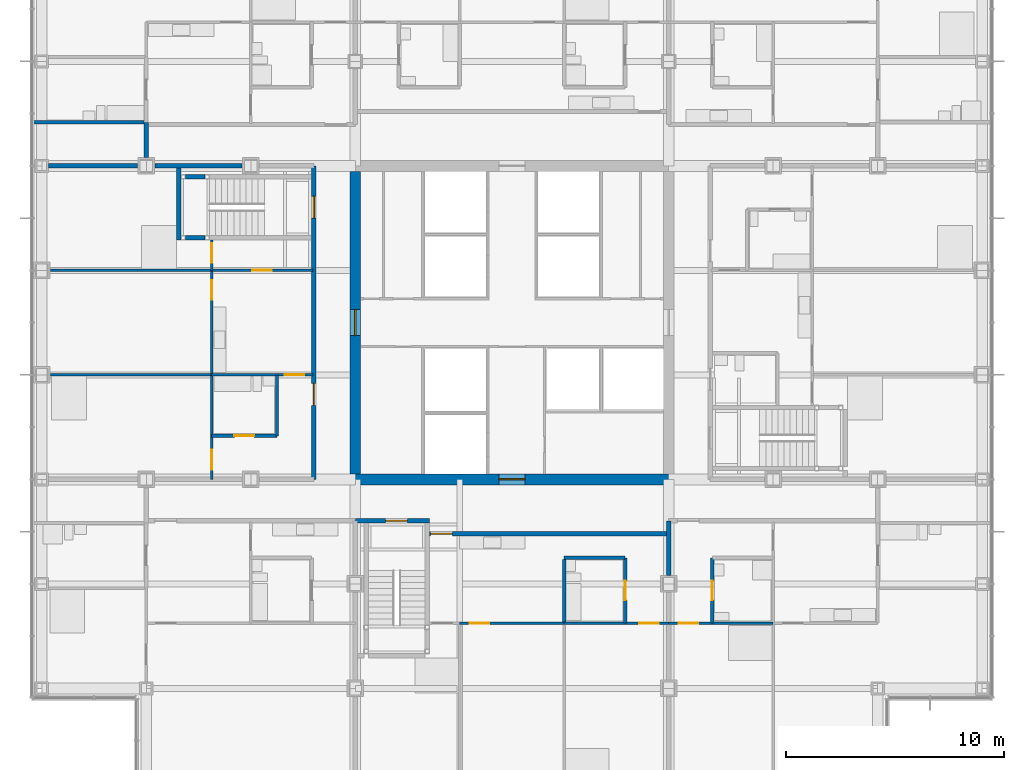
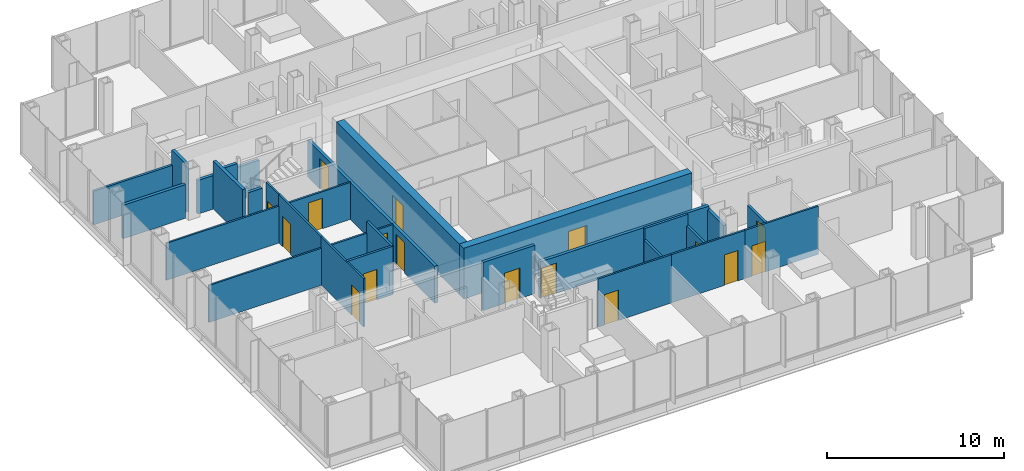
# One storey, part 14 of 21: 29 walls, 17 doors, 17 openings.
"""IFC4 building model written with IfcOpenShell, lengths in metres."""

from ifc_helpers import new_model, si_unit, direction, frame, frame_2d, origin, place, context, subcontext, project, spatial, rectangle, extrude, material, layer, layer_set, type_object, element, fill, save


model = new_model("IFC4")

# Units and contexts
model_context = context("Model", 3, precision=1e-05, world=origin(), true_north=direction((0.0, 1.0)))
body_context = subcontext(model_context, "Body", "Model", "MODEL_VIEW")
ifc_project = project(units=[si_unit("LENGTHUNIT", "METRE"), si_unit("AREAUNIT", "SQUARE_METRE"), si_unit("VOLUMEUNIT", "CUBIC_METRE"), si_unit("PLANEANGLEUNIT", "RADIAN"), si_unit("MASSUNIT", "GRAM", prefix="KILO")], contexts=[model_context])

# Site, building, storey
site_placement = place(None, origin())
site = spatial("IfcSite", under=ifc_project, at=site_placement, CompositionType="ELEMENT")
building_placement = place(site_placement, origin())
building = spatial("IfcBuilding", under=site, at=building_placement, Name="Kvirike Care Tower", CompositionType="ELEMENT")
storey_placement = place(building_placement, frame((0.0, 0.0, 62.0)))
storey = spatial("IfcBuildingStorey", under=building, at=storey_placement, Name="L16", CompositionType="ELEMENT", Elevation=62.0)

# Wall, opening, door
ifc_material_1 = material(Name="Moisture-resistant board partition", Category="gypsum")
ifc_layer_1 = layer(ifc_material_1, 0.14990234375)
ifc_layer_set_1 = layer_set([ifc_layer_1], Name="BATHROOM WALL 150")
wall_type_1 = type_object("IfcWallType", Name="BATHROOM WALL 150", PredefinedType="PARTITIONING", material=ifc_layer_set_1)
wall_1_placement = place(storey_placement, frame((7.800048828125, 30.800048828125, 0.0), z_axis=(0.0, 0.0, 1.0), x_axis=(1.0, 0.0, 0.0)))
wall_1 = element("IfcWall", 1, at=wall_1_placement, inside=storey, type_object=wall_type_1, Name="Bathroom Wall 150 L16", PredefinedType="PARTITIONING", context=body_context, shape_type="SweptSolid", body=[
    extrude(rectangle(XDim=3.0, YDim=0.14990234375, at=frame_2d((1.5, 0.0))), origin(), (0.0, 0.0, 1.0), 3.330078125),
])
opening_1_placement = place(wall_1_placement, frame((1.050048828125, 0.0, 0.0)))
opening_1 = element("IfcOpeningElement", 2, at=opening_1_placement, cuts=wall_1, Name="Opening 16-007", PredefinedType="OPENING", context=body_context, shape_type="SweptSolid", body=[
    extrude(rectangle(XDim=0.89990234375, YDim=2.10009765625, at=frame_2d((0.449951171875, 1.050048828125))), frame((0.0, 0.08544921875, 0.0), z_axis=(0.0, -1.0, 0.0), x_axis=(1.0, 0.0, 0.0)), (0.0, 0.0, 1.0), 0.1708984375),
])
ifc_material_2 = material(Name="Timber door set", Category="wood")
door_type_1 = type_object("IfcDoorType", Name="BATHROOM DOOR 900", OperationType="SINGLE_SWING_RIGHT", PredefinedType="DOOR", material=ifc_material_2)
door_1_placement = place(opening_1_placement, origin())
door_1 = element("IfcDoor", 3, at=door_1_placement, inside=storey, type_object=door_type_1, Name="Bathroom door", OperationType="SINGLE_SWING_RIGHT", OverallHeight=2.10009765625, OverallWidth=0.89990234375, PredefinedType="DOOR", context=body_context, shape_type="SweptSolid", body=[
    extrude(rectangle(XDim=0.89990234375, YDim=2.10009765625, at=frame_2d((0.449951171875, 1.050048828125))), frame((0.0, 0.02197265625, 0.0), z_axis=(0.0, -1.0, 0.0), x_axis=(1.0, 0.0, 0.0)), (0.0, 0.0, 1.0), 0.0439453125),
])
fill(opening_1, door_1)

# Wall
wall_2_placement = place(storey_placement, frame((10.800048828125, 33.60009765625, 0.0), z_axis=(0.0, 0.0, 1.0), x_axis=(0.0, -1.0, 0.0)))
element("IfcWall", 4, at=wall_2_placement, inside=storey, type_object=wall_type_1, Name="Bathroom Wall 150 L16", PredefinedType="PARTITIONING", context=body_context, shape_type="SweptSolid", body=[
    extrude(rectangle(XDim=2.800048828125, YDim=0.14990234375, at=frame_2d((1.39990234375, 0.0))), origin(), (0.0, 0.0, 1.0), 3.330078125),
])

# Wall, opening, door
wall_3_placement = place(storey_placement, frame((26.800048828125, 22.199951171875, 0.0), z_axis=(0.0, 0.0, 1.0), x_axis=(0.0, 1.0, 0.0)))
wall_3 = element("IfcWall", 5, at=wall_3_placement, inside=storey, type_object=wall_type_1, Name="Bathroom Wall 150 L16", PredefinedType="PARTITIONING", context=body_context, shape_type="SweptSolid", body=[
    extrude(rectangle(XDim=3.0, YDim=0.14990234375, at=frame_2d((1.5, 0.0))), origin(), (0.0, 0.0, 1.0), 2.550048828125),
])
opening_2_placement = place(wall_3_placement, frame((1.050048828125, 0.0, 0.0)))
opening_2 = element("IfcOpeningElement", 6, at=opening_2_placement, cuts=wall_3, Name="Opening 16-022", PredefinedType="OPENING", context=body_context, shape_type="SweptSolid", body=[
    extrude(rectangle(XDim=0.89990234375, YDim=2.10009765625, at=frame_2d((0.449951171875, 1.050048828125))), frame((0.0, 0.08544921875, 0.0), z_axis=(0.0, -1.0, 0.0), x_axis=(1.0, 0.0, 0.0)), (0.0, 0.0, 1.0), 0.1708984375),
])
door_2_placement = place(opening_2_placement, origin())
door_2 = element("IfcDoor", 7, at=door_2_placement, inside=storey, type_object=door_type_1, Name="Bathroom door", OperationType="SINGLE_SWING_LEFT", OverallHeight=2.10009765625, OverallWidth=0.89990234375, PredefinedType="DOOR", context=body_context, shape_type="SweptSolid", body=[
    extrude(rectangle(XDim=0.89990234375, YDim=2.10009765625, at=frame_2d((0.449951171875, 1.050048828125))), frame((0.0, 0.02197265625, 0.0), z_axis=(0.0, -1.0, 0.0), x_axis=(1.0, 0.0, 0.0)), (0.0, 0.0, 1.0), 0.0439453125),
])
fill(opening_2, door_2)

# Wall
wall_4_placement = place(storey_placement, frame((24.0, 25.199951171875, 0.0), z_axis=(0.0, 0.0, 1.0), x_axis=(1.0, 0.0, 0.0)))
element("IfcWall", 8, at=wall_4_placement, inside=storey, type_object=wall_type_1, Name="Bathroom Wall 150 L16", PredefinedType="PARTITIONING", context=body_context, shape_type="SweptSolid", body=[
    extrude(rectangle(XDim=2.800048828125, YDim=0.14990234375, at=frame_2d((1.39990234375, 0.0))), origin(), (0.0, 0.0, 1.0), 3.330078125),
])

# Wall, opening, door
wall_5_placement = place(storey_placement, frame((30.800048828125, 22.199951171875, 0.0), z_axis=(0.0, 0.0, 1.0), x_axis=(0.0, 1.0, 0.0)))
wall_5 = element("IfcWall", 9, at=wall_5_placement, inside=storey, type_object=wall_type_1, Name="Bathroom Wall 150 L16", PredefinedType="PARTITIONING", context=body_context, shape_type="SweptSolid", body=[
    extrude(rectangle(XDim=3.0, YDim=0.14990234375, at=frame_2d((1.5, 0.0))), origin(), (0.0, 0.0, 1.0), 2.550048828125),
])
opening_3_placement = place(wall_5_placement, frame((1.050048828125, 0.0, 0.0)))
opening_3 = element("IfcOpeningElement", 10, at=opening_3_placement, cuts=wall_5, Name="Opening 16-033", PredefinedType="OPENING", context=body_context, shape_type="SweptSolid", body=[
    extrude(rectangle(XDim=0.89990234375, YDim=2.10009765625, at=frame_2d((0.449951171875, 1.050048828125))), frame((0.0, 0.08544921875, 0.0), z_axis=(0.0, -1.0, 0.0), x_axis=(1.0, 0.0, 0.0)), (0.0, 0.0, 1.0), 0.1708984375),
])
door_3_placement = place(opening_3_placement, frame((0.89990234375, 0.0, 0.0), z_axis=(0.0, 0.0, 1.0), x_axis=(-1.0, 0.0, 0.0)))
door_3 = element("IfcDoor", 11, at=door_3_placement, inside=storey, type_object=door_type_1, Name="Shower room door", OperationType="SINGLE_SWING_LEFT", OverallHeight=2.10009765625, OverallWidth=0.89990234375, PredefinedType="DOOR", context=body_context, shape_type="SweptSolid", body=[
    extrude(rectangle(XDim=0.89990234375, YDim=2.10009765625, at=frame_2d((0.449951171875, 1.050048828125))), frame((0.0, 0.02197265625, 0.0), z_axis=(0.0, -1.0, 0.0), x_axis=(1.0, 0.0, 0.0)), (0.0, 0.0, 1.0), 0.0439453125),
])
fill(opening_3, door_3)

# Walls
wall_6_placement = place(storey_placement, frame((4.699951171875, 45.199951171875, 0.0), z_axis=(0.0, 0.0, 1.0), x_axis=(-1.0, 0.0, 0.0)))
element("IfcWall", 12, at=wall_6_placement, inside=storey, type_object=wall_type_1, Name="Bathroom Wall 150 L16", PredefinedType="PARTITIONING", context=body_context, shape_type="SweptSolid", body=[
    extrude(rectangle(XDim=5.135009765625, YDim=0.14990234375, at=frame_2d((2.5673828125, 0.0))), origin(), (0.0, 0.0, 1.0), 2.320068359375),
])
wall_7_placement = place(storey_placement, frame((24.0, 22.260009765625, 0.0), z_axis=(0.0, 0.0, 1.0), x_axis=(0.0, 1.0, 0.0)))
element("IfcWall", 13, at=wall_7_placement, inside=storey, type_object=wall_type_1, Name="Bathroom Wall 150 L16", PredefinedType="PARTITIONING", context=body_context, shape_type="SweptSolid", body=[
    extrude(rectangle(XDim=2.864990234375, YDim=0.14990234375, at=frame_2d((1.4326171875, 0.0))), origin(), (0.0, 0.0, 1.0), 2.550048828125),
])

# Wall, opening, door
ifc_material_3 = material(Name="Concrete C60/75", Category="concrete")
ifc_layer_2 = layer(ifc_material_3, 0.5)
ifc_layer_set_2 = layer_set([ifc_layer_2], Name="CORE WALL 500 C60-75")
wall_type_2 = type_object("IfcWallType", Name="CORE WALL 500 C60-75", PredefinedType="SHEAR", material=ifc_layer_set_2)
wall_8_placement = place(storey_placement, frame((14.14990234375, 28.800048828125, -0.169921875), z_axis=(0.0, 0.0, 1.0), x_axis=(1.0, 0.0, 0.0)))
wall_8 = element("IfcWall", 14, at=wall_8_placement, inside=storey, type_object=wall_type_2, Name="Core wall S L16", PredefinedType="SHEAR", context=body_context, shape_type="SweptSolid", body=[
    extrude(rectangle(XDim=14.900146484375, YDim=0.5, at=frame_2d((7.4501953125, 0.0))), origin(), (0.0, 0.0, 1.0), 3.5),
])
opening_4_placement = place(wall_8_placement, frame((6.85009765625, 0.0, 0.169921875)))
opening_4 = element("IfcOpeningElement", 15, at=opening_4_placement, cuts=wall_8, Name="Opening 16-064", PredefinedType="OPENING", context=body_context, shape_type="SweptSolid", body=[
    extrude(rectangle(XDim=1.199951171875, YDim=2.10009765625, at=frame_2d((0.60009765625, 1.050048828125))), frame((0.0, 0.260498046875, 0.0), z_axis=(0.0, -1.0, 0.0), x_axis=(1.0, 0.0, 0.0)), (0.0, 0.0, 1.0), 0.52099609375),
])
ifc_material_4 = material(Name="Timber door set", Category="wood")
door_type_2 = type_object("IfcDoorType", Name="CORE DOOR 1200", OperationType="SINGLE_SWING_LEFT", PredefinedType="DOOR", material=ifc_material_4)
door_4_placement = place(opening_4_placement, origin())
door_4 = element("IfcDoor", 16, at=door_4_placement, inside=storey, type_object=door_type_2, Name="Core door S L16", OperationType="SINGLE_SWING_LEFT", OverallHeight=2.10009765625, OverallWidth=1.199951171875, PredefinedType="DOOR", context=body_context, shape_type="SweptSolid", body=[
    extrude(rectangle(XDim=1.199951171875, YDim=2.10009765625, at=frame_2d((0.60009765625, 1.050048828125))), frame((0.0, 0.02685546875, 0.0), z_axis=(0.0, -1.0, 0.0), x_axis=(1.0, 0.0, 0.0)), (0.0, 0.0, 1.0), 0.053955078125),
])
fill(opening_4, door_4)

wall_9_placement = place(storey_placement, frame((14.39990234375, 42.949951171875, -0.169921875), z_axis=(0.0, 0.0, 1.0), x_axis=(0.0, -1.0, 0.0)))
wall_9 = element("IfcWall", 17, at=wall_9_placement, inside=storey, type_object=wall_type_2, Name="Core wall W L16", PredefinedType="SHEAR", context=body_context, shape_type="SweptSolid", body=[
    extrude(rectangle(XDim=13.89990234375, YDim=0.5, at=frame_2d((6.949951171875, 0.0))), origin(), (0.0, 0.0, 1.0), 3.5),
])
opening_5_placement = place(wall_9_placement, frame((6.35009765625, 0.0, 0.169921875)))
opening_5 = element("IfcOpeningElement", 18, at=opening_5_placement, cuts=wall_9, Name="Opening 16-065", PredefinedType="OPENING", context=body_context, shape_type="SweptSolid", body=[
    extrude(rectangle(XDim=1.199951171875, YDim=2.10009765625, at=frame_2d((0.60009765625, 1.050048828125))), frame((0.0, 0.260498046875, 0.0), z_axis=(0.0, -1.0, 0.0), x_axis=(1.0, 0.0, 0.0)), (0.0, 0.0, 1.0), 0.52099609375),
])
door_5_placement = place(opening_5_placement, origin())
door_5 = element("IfcDoor", 19, at=door_5_placement, inside=storey, type_object=door_type_2, Name="Core door W L16", OperationType="SINGLE_SWING_LEFT", OverallHeight=2.10009765625, OverallWidth=1.199951171875, PredefinedType="DOOR", context=body_context, shape_type="SweptSolid", body=[
    extrude(rectangle(XDim=1.199951171875, YDim=2.10009765625, at=frame_2d((0.60009765625, 1.050048828125))), frame((0.0, 0.02685546875, 0.0), z_axis=(0.0, -1.0, 0.0), x_axis=(1.0, 0.0, 0.0)), (0.0, 0.0, 1.0), 0.053955078125),
])
fill(opening_5, door_5)

# Wall, openings, doors
ifc_material_5 = material(Name="Plasterboard corridor wall", Category="gypsum")
ifc_layer_3 = layer(ifc_material_5, 0.199951171875)
ifc_layer_set_3 = layer_set([ifc_layer_3], Name="CORRIDOR WALL 200")
wall_type_3 = type_object("IfcWallType", Name="CORRIDOR WALL 200", PredefinedType="PARTITIONING", material=ifc_layer_set_3)
wall_10_placement = place(storey_placement, frame((12.5, 43.199951171875, 0.0), z_axis=(0.0, 0.0, 1.0), x_axis=(0.0, -1.0, 0.0)))
wall_10 = element("IfcWall", 20, at=wall_10_placement, inside=storey, type_object=wall_type_3, Name="Corridor Wall 200 L16", PredefinedType="PARTITIONING", context=body_context, shape_type="SweptSolid", body=[
    extrude(rectangle(XDim=14.39990234375, YDim=0.199951171875, at=frame_2d((7.199951171875, 0.0))), origin(), (0.0, 0.0, 1.0), 2.550048828125),
])
opening_6_placement = place(wall_10_placement, frame((1.39990234375, 0.0, 0.0)))
opening_6 = element("IfcOpeningElement", 21, at=opening_6_placement, cuts=wall_10, Name="Opening 16-013", PredefinedType="OPENING", context=body_context, shape_type="SweptSolid", body=[
    extrude(rectangle(XDim=1.0, YDim=2.10009765625, at=frame_2d((0.5, 1.050048828125))), frame((0.0, 0.110595703125, 0.0), z_axis=(0.0, -1.0, 0.0), x_axis=(1.0, 0.0, 0.0)), (0.0, 0.0, 1.0), 0.220947265625),
])
opening_7_placement = place(wall_10_placement, frame((10.0, 0.0, 0.0)))
opening_7 = element("IfcOpeningElement", 22, at=opening_7_placement, cuts=wall_10, Name="Opening 16-014", PredefinedType="OPENING", context=body_context, shape_type="SweptSolid", body=[
    extrude(rectangle(XDim=1.0, YDim=2.10009765625, at=frame_2d((0.5, 1.050048828125))), frame((0.0, 0.110595703125, 0.0), z_axis=(0.0, -1.0, 0.0), x_axis=(1.0, 0.0, 0.0)), (0.0, 0.0, 1.0), 0.220947265625),
])
ifc_material_6 = material(Name="Timber door set", Category="wood")
door_type_3 = type_object("IfcDoorType", Name="FLAT ENTRANCE DOOR 1000", OperationType="SINGLE_SWING_LEFT", PredefinedType="DOOR", material=ifc_material_6)
door_6_placement = place(opening_7_placement, frame((1.0, 0.0, 0.0), z_axis=(0.0, 0.0, 1.0), x_axis=(-1.0, 0.0, 0.0)))
door_6 = element("IfcDoor", 23, at=door_6_placement, inside=storey, type_object=door_type_3, Name="Two-bedroom apartment entrance", OperationType="SINGLE_SWING_LEFT", OverallHeight=2.10009765625, OverallWidth=1.0, PredefinedType="DOOR", context=body_context, shape_type="SweptSolid", body=[
    extrude(rectangle(XDim=1.0, YDim=2.10009765625, at=frame_2d((0.5, 1.050048828125))), frame((0.0, 0.02685546875, 0.0), z_axis=(0.0, -1.0, 0.0), x_axis=(1.0, 0.0, 0.0)), (0.0, 0.0, 1.0), 0.053955078125),
])
fill(opening_7, door_6)
ifc_material_7 = material(Name="Timber door set", Category="wood")
door_type_4 = type_object("IfcDoorType", Name="STAIR DOOR 1000", OperationType="SINGLE_SWING_LEFT", PredefinedType="DOOR", material=ifc_material_7)
door_7_placement = place(opening_6_placement, frame((1.0, 0.0, 0.0), z_axis=(0.0, 0.0, 1.0), x_axis=(-1.0, 0.0, 0.0)))
door_7 = element("IfcDoor", 24, at=door_7_placement, inside=storey, type_object=door_type_4, Name="Stair 1 door", OperationType="SINGLE_SWING_LEFT", OverallHeight=2.10009765625, OverallWidth=1.0, PredefinedType="DOOR", context=body_context, shape_type="SweptSolid", body=[
    extrude(rectangle(XDim=1.0, YDim=2.10009765625, at=frame_2d((0.5, 1.050048828125))), frame((0.0, 0.031982421875, 0.0), z_axis=(0.0, -1.0, 0.0), x_axis=(1.0, 0.0, 0.0)), (0.0, 0.0, 1.0), 0.06396484375),
])
fill(opening_6, door_7)

# Wall
wall_11_placement = place(storey_placement, frame((4.800048828125, 45.199951171875, 0.0), z_axis=(0.0, 0.0, 1.0), x_axis=(0.0, -1.0, 0.0)))
element("IfcWall", 25, at=wall_11_placement, inside=storey, type_object=wall_type_3, Name="Corridor Wall 200 L16", PredefinedType="PARTITIONING", context=body_context, shape_type="SweptSolid", body=[
    extrude(rectangle(XDim=1.60498046875, YDim=0.199951171875, at=frame_2d((0.802490234375, 0.0))), origin(), (0.0, 0.0, 1.0), 3.330078125),
])

# Wall, opening, door
wall_12_placement = place(storey_placement, frame((17.800048828125, 26.300048828125, 0.0), z_axis=(0.0, 0.0, 1.0), x_axis=(1.0, 0.0, 0.0)))
wall_12 = element("IfcWall", 26, at=wall_12_placement, inside=storey, type_object=wall_type_3, Name="Corridor Wall 200 L16", PredefinedType="PARTITIONING", context=body_context, shape_type="SweptSolid", body=[
    extrude(rectangle(XDim=11.0, YDim=0.199951171875, at=frame_2d((5.5, 0.0))), origin(), (0.0, 0.0, 1.0), 2.550048828125),
])
opening_8_placement = place(wall_12_placement, frame((0.06005859375, 0.0, 0.0)))
opening_8 = element("IfcOpeningElement", 27, at=opening_8_placement, cuts=wall_12, Name="Opening 16-026", PredefinedType="OPENING", context=body_context, shape_type="SweptSolid", body=[
    extrude(rectangle(XDim=1.0, YDim=2.10009765625, at=frame_2d((0.5, 1.050048828125))), frame((0.0, 0.110595703125, 0.0), z_axis=(0.0, -1.0, 0.0), x_axis=(1.0, 0.0, 0.0)), (0.0, 0.0, 1.0), 0.220947265625),
])
door_8_placement = place(opening_8_placement, frame((1.0, 0.0, 0.0), z_axis=(0.0, 0.0, 1.0), x_axis=(-1.0, 0.0, 0.0)))
door_8 = element("IfcDoor", 28, at=door_8_placement, inside=storey, type_object=door_type_3, Name="Two-bedroom apartment entrance", OperationType="SINGLE_SWING_LEFT", OverallHeight=2.10009765625, OverallWidth=1.0, PredefinedType="DOOR", context=body_context, shape_type="SweptSolid", body=[
    extrude(rectangle(XDim=1.0, YDim=2.10009765625, at=frame_2d((0.5, 1.050048828125))), frame((0.0, 0.02685546875, 0.0), z_axis=(0.0, -1.0, 0.0), x_axis=(1.0, 0.0, 0.0)), (0.0, 0.0, 1.0), 0.053955078125),
])
fill(opening_8, door_8)

ifc_material_8 = material(Name="Plasterboard partition", Category="gypsum")
ifc_layer_4 = layer(ifc_material_8, 0.1201171875)
ifc_layer_set_4 = layer_set([ifc_layer_4], Name="PARTITION 120")
wall_type_4 = type_object("IfcWallType", Name="PARTITION 120", PredefinedType="PARTITIONING", material=ifc_layer_set_4)
wall_13_placement = place(storey_placement, frame((7.800048828125, 38.39990234375, 0.0), z_axis=(0.0, 0.0, 1.0), x_axis=(1.0, 0.0, 0.0)))
wall_13 = element("IfcWall", 29, at=wall_13_placement, inside=storey, type_object=wall_type_4, Name="Partition 120 L16", PredefinedType="PARTITIONING", context=body_context, shape_type="SweptSolid", body=[
    extrude(rectangle(XDim=4.64990234375, YDim=0.1201171875, at=frame_2d((2.324951171875, 0.0))), origin(), (0.0, 0.0, 1.0), 2.550048828125),
])
opening_9_placement = place(wall_13_placement, frame((1.875, 0.0, 0.0)))
opening_9 = element("IfcOpeningElement", 30, at=opening_9_placement, cuts=wall_13, Name="Opening 16-008", PredefinedType="OPENING", context=body_context, shape_type="SweptSolid", body=[
    extrude(rectangle(XDim=0.89990234375, YDim=2.10009765625, at=frame_2d((0.449951171875, 1.050048828125))), frame((0.0, 0.070556640625, 0.0), z_axis=(0.0, -1.0, 0.0), x_axis=(1.0, 0.0, 0.0)), (0.0, 0.0, 1.0), 0.14111328125),
])
ifc_material_9 = material(Name="Timber door set", Category="wood")
door_type_5 = type_object("IfcDoorType", Name="INTERNAL DOOR 900", OperationType="SINGLE_SWING_LEFT", PredefinedType="DOOR", material=ifc_material_9)
door_9_placement = place(opening_9_placement, origin())
door_9 = element("IfcDoor", 31, at=door_9_placement, inside=storey, type_object=door_type_5, Name="Hall door", OperationType="SINGLE_SWING_LEFT", OverallHeight=2.10009765625, OverallWidth=0.89990234375, PredefinedType="DOOR", context=body_context, shape_type="SweptSolid", body=[
    extrude(rectangle(XDim=0.89990234375, YDim=2.10009765625, at=frame_2d((0.449951171875, 1.050048828125))), frame((0.0, 0.02197265625, 0.0), z_axis=(0.0, -1.0, 0.0), x_axis=(1.0, 0.0, 0.0)), (0.0, 0.0, 1.0), 0.0439453125),
])
fill(opening_9, door_9)

wall_14_placement = place(storey_placement, frame((7.800048828125, 33.60009765625, 0.0), z_axis=(0.0, 0.0, 1.0), x_axis=(1.0, 0.0, 0.0)))
wall_14 = element("IfcWall", 32, at=wall_14_placement, inside=storey, type_object=wall_type_4, Name="Partition 120 L16", PredefinedType="PARTITIONING", context=body_context, shape_type="SweptSolid", body=[
    extrude(rectangle(XDim=4.64990234375, YDim=0.1201171875, at=frame_2d((2.324951171875, 0.0))), origin(), (0.0, 0.0, 1.0), 2.550048828125),
])
opening_10_placement = place(wall_14_placement, frame((3.35009765625, 0.0, 0.0)))
opening_10 = element("IfcOpeningElement", 33, at=opening_10_placement, cuts=wall_14, Name="Opening 16-009", PredefinedType="OPENING", context=body_context, shape_type="SweptSolid", body=[
    extrude(rectangle(XDim=0.89990234375, YDim=2.10009765625, at=frame_2d((0.449951171875, 1.050048828125))), frame((0.0, 0.070556640625, 0.0), z_axis=(0.0, -1.0, 0.0), x_axis=(1.0, 0.0, 0.0)), (0.0, 0.0, 1.0), 0.14111328125),
])
door_10_placement = place(opening_10_placement, origin())
door_10 = element("IfcDoor", 34, at=door_10_placement, inside=storey, type_object=door_type_5, Name="Hall door", OperationType="SINGLE_SWING_LEFT", OverallHeight=2.10009765625, OverallWidth=0.89990234375, PredefinedType="DOOR", context=body_context, shape_type="SweptSolid", body=[
    extrude(rectangle(XDim=0.89990234375, YDim=2.10009765625, at=frame_2d((0.449951171875, 1.050048828125))), frame((0.0, 0.02197265625, 0.0), z_axis=(0.0, -1.0, 0.0), x_axis=(1.0, 0.0, 0.0)), (0.0, 0.0, 1.0), 0.0439453125),
])
fill(opening_10, door_10)

wall_15_placement = place(storey_placement, frame((7.800048828125, 39.800048828125, 0.0), z_axis=(0.0, 0.0, 1.0), x_axis=(0.0, -1.0, 0.0)))
wall_15 = element("IfcWall", 35, at=wall_15_placement, inside=storey, type_object=wall_type_4, Name="Partition 120 L16", PredefinedType="PARTITIONING", context=body_context, shape_type="SweptSolid", body=[
    extrude(rectangle(XDim=1.400146484375, YDim=0.1201171875, at=frame_2d((0.7001953125, 0.0))), origin(), (0.0, 0.0, 1.0), 3.330078125),
])
opening_11_placement = place(wall_15_placement, frame((0.14990234375, 0.0, 0.0)))
opening_11 = element("IfcOpeningElement", 36, at=opening_11_placement, cuts=wall_15, Name="Opening 16-010", PredefinedType="OPENING", context=body_context, shape_type="SweptSolid", body=[
    extrude(rectangle(XDim=0.89990234375, YDim=2.10009765625, at=frame_2d((0.449951171875, 1.050048828125))), frame((0.0, 0.070556640625, 0.0), z_axis=(0.0, -1.0, 0.0), x_axis=(1.0, 0.0, 0.0)), (0.0, 0.0, 1.0), 0.14111328125),
])
door_11_placement = place(opening_11_placement, origin())
door_11 = element("IfcDoor", 37, at=door_11_placement, inside=storey, type_object=door_type_5, Name="Apartment bedroom door", OperationType="SINGLE_SWING_RIGHT", OverallHeight=2.10009765625, OverallWidth=0.89990234375, PredefinedType="DOOR", context=body_context, shape_type="SweptSolid", body=[
    extrude(rectangle(XDim=0.89990234375, YDim=2.10009765625, at=frame_2d((0.449951171875, 1.050048828125))), frame((0.0, 0.02197265625, 0.0), z_axis=(0.0, -1.0, 0.0), x_axis=(1.0, 0.0, 0.0)), (0.0, 0.0, 1.0), 0.0439453125),
])
fill(opening_11, door_11)

wall_16_placement = place(storey_placement, frame((7.800048828125, 38.39990234375, 0.0), z_axis=(0.0, 0.0, 1.0), x_axis=(0.0, -1.0, 0.0)))
wall_16 = element("IfcWall", 38, at=wall_16_placement, inside=storey, type_object=wall_type_4, Name="Partition 120 L16", PredefinedType="PARTITIONING", context=body_context, shape_type="SweptSolid", body=[
    extrude(rectangle(XDim=4.7998046875, YDim=0.1201171875, at=frame_2d((2.39990234375, 0.0))), origin(), (0.0, 0.0, 1.0), 3.330078125),
])
opening_12_placement = place(wall_16_placement, frame((0.449951171875, 0.0, 0.0)))
opening_12 = element("IfcOpeningElement", 39, at=opening_12_placement, cuts=wall_16, Name="Opening 16-011", PredefinedType="OPENING", context=body_context, shape_type="SweptSolid", body=[
    extrude(rectangle(XDim=0.89990234375, YDim=2.10009765625, at=frame_2d((0.449951171875, 1.050048828125))), frame((0.0, 0.070556640625, 0.0), z_axis=(0.0, -1.0, 0.0), x_axis=(1.0, 0.0, 0.0)), (0.0, 0.0, 1.0), 0.14111328125),
])
door_12_placement = place(opening_12_placement, origin())
door_12 = element("IfcDoor", 40, at=door_12_placement, inside=storey, type_object=door_type_5, Name="Apartment living room door", OperationType="SINGLE_SWING_RIGHT", OverallHeight=2.10009765625, OverallWidth=0.89990234375, PredefinedType="DOOR", context=body_context, shape_type="SweptSolid", body=[
    extrude(rectangle(XDim=0.89990234375, YDim=2.10009765625, at=frame_2d((0.449951171875, 1.050048828125))), frame((0.0, 0.02197265625, 0.0), z_axis=(0.0, -1.0, 0.0), x_axis=(1.0, 0.0, 0.0)), (0.0, 0.0, 1.0), 0.0439453125),
])
fill(opening_12, door_12)

wall_17_placement = place(storey_placement, frame((7.800048828125, 33.60009765625, 0.0), z_axis=(0.0, 0.0, 1.0), x_axis=(0.0, -1.0, 0.0)))
wall_17 = element("IfcWall", 41, at=wall_17_placement, inside=storey, type_object=wall_type_4, Name="Partition 120 L16", PredefinedType="PARTITIONING", context=body_context, shape_type="SweptSolid", body=[
    extrude(rectangle(XDim=4.800048828125, YDim=0.1201171875, at=frame_2d((2.39990234375, 0.0))), origin(), (0.0, 0.0, 1.0), 3.330078125),
])
opening_13_placement = place(wall_17_placement, frame((3.449951171875, 0.0, 0.0)))
opening_13 = element("IfcOpeningElement", 42, at=opening_13_placement, cuts=wall_17, Name="Opening 16-012", PredefinedType="OPENING", context=body_context, shape_type="SweptSolid", body=[
    extrude(rectangle(XDim=0.89990234375, YDim=2.10009765625, at=frame_2d((0.449951171875, 1.050048828125))), frame((0.0, 0.070556640625, 0.0), z_axis=(0.0, -1.0, 0.0), x_axis=(1.0, 0.0, 0.0)), (0.0, 0.0, 1.0), 0.14111328125),
])
door_13_placement = place(opening_13_placement, origin())
door_13 = element("IfcDoor", 43, at=door_13_placement, inside=storey, type_object=door_type_5, Name="Apartment bedroom door", OperationType="SINGLE_SWING_LEFT", OverallHeight=2.10009765625, OverallWidth=0.89990234375, PredefinedType="DOOR", context=body_context, shape_type="SweptSolid", body=[
    extrude(rectangle(XDim=0.89990234375, YDim=2.10009765625, at=frame_2d((0.449951171875, 1.050048828125))), frame((0.0, 0.02197265625, 0.0), z_axis=(0.0, -1.0, 0.0), x_axis=(1.0, 0.0, 0.0)), (0.0, 0.0, 1.0), 0.0439453125),
])
fill(opening_13, door_13)

# Walls
for number, where, z_axis, x_axis, name in (
    (44, (0.39501953125, 38.39990234375, 0.0), (0.0, 0.0, 1.0), (1.0, 0.0, 0.0), "Partition 120 L16"),
    (45, (0.39501953125, 33.60009765625, 0.0), (0.0, 0.0, 1.0), (1.0, 0.0, 0.0), "Partition 120 L16"),
):
    element("IfcWall", number, at=place(storey_placement, frame(where, z_axis=z_axis, x_axis=x_axis)), inside=storey, type_object=wall_type_4, Name=name, PredefinedType="PARTITIONING", context=body_context, shape_type="SweptSolid", body=[
        extrude(rectangle(XDim=7.405029296875, YDim=0.1201171875, at=frame_2d((3.70263671875, 0.0))), origin(), (0.0, 0.0, 1.0), 2.550048828125),
    ])

# Wall, opening, door
wall_18_placement = place(storey_placement, frame((19.199951171875, 22.199951171875, 0.0), z_axis=(0.0, 0.0, 1.0), x_axis=(1.0, 0.0, 0.0)))
wall_18 = element("IfcWall", 46, at=wall_18_placement, inside=storey, type_object=wall_type_4, Name="Partition 120 L16", PredefinedType="PARTITIONING", context=body_context, shape_type="SweptSolid", body=[
    extrude(rectangle(XDim=4.800048828125, YDim=0.1201171875, at=frame_2d((2.39990234375, 0.0))), origin(), (0.0, 0.0, 1.0), 3.330078125),
])
opening_14_placement = place(wall_18_placement, frame((0.449951171875, 0.0, 0.0)))
opening_14 = element("IfcOpeningElement", 47, at=opening_14_placement, cuts=wall_18, Name="Opening 16-024", PredefinedType="OPENING", context=body_context, shape_type="SweptSolid", body=[
    extrude(rectangle(XDim=0.89990234375, YDim=2.10009765625, at=frame_2d((0.449951171875, 1.050048828125))), frame((0.0, 0.070556640625, 0.0), z_axis=(0.0, -1.0, 0.0), x_axis=(1.0, 0.0, 0.0)), (0.0, 0.0, 1.0), 0.14111328125),
])
door_14_placement = place(opening_14_placement, origin())
door_14 = element("IfcDoor", 48, at=door_14_placement, inside=storey, type_object=door_type_5, Name="Apartment living room door", OperationType="SINGLE_SWING_RIGHT", OverallHeight=2.10009765625, OverallWidth=0.89990234375, PredefinedType="DOOR", context=body_context, shape_type="SweptSolid", body=[
    extrude(rectangle(XDim=0.89990234375, YDim=2.10009765625, at=frame_2d((0.449951171875, 1.050048828125))), frame((0.0, 0.02197265625, 0.0), z_axis=(0.0, -1.0, 0.0), x_axis=(1.0, 0.0, 0.0)), (0.0, 0.0, 1.0), 0.0439453125),
])
fill(opening_14, door_14)

wall_19_placement = place(storey_placement, frame((24.0, 22.199951171875, 0.0), z_axis=(0.0, 0.0, 1.0), x_axis=(1.0, 0.0, 0.0)))
wall_19 = element("IfcWall", 49, at=wall_19_placement, inside=storey, type_object=wall_type_4, Name="Partition 120 L16", PredefinedType="PARTITIONING", context=body_context, shape_type="SweptSolid", body=[
    extrude(rectangle(XDim=4.800048828125, YDim=0.1201171875, at=frame_2d((2.39990234375, 0.0))), origin(), (0.0, 0.0, 1.0), 3.330078125),
])
opening_15_placement = place(wall_19_placement, frame((3.449951171875, 0.0, 0.0)))
opening_15 = element("IfcOpeningElement", 50, at=opening_15_placement, cuts=wall_19, Name="Opening 16-025", PredefinedType="OPENING", context=body_context, shape_type="SweptSolid", body=[
    extrude(rectangle(XDim=0.89990234375, YDim=2.10009765625, at=frame_2d((0.449951171875, 1.050048828125))), frame((0.0, 0.070556640625, 0.0), z_axis=(0.0, -1.0, 0.0), x_axis=(1.0, 0.0, 0.0)), (0.0, 0.0, 1.0), 0.14111328125),
])
door_15_placement = place(opening_15_placement, origin())
door_15 = element("IfcDoor", 51, at=door_15_placement, inside=storey, type_object=door_type_5, Name="Apartment bedroom door", OperationType="SINGLE_SWING_LEFT", OverallHeight=2.10009765625, OverallWidth=0.89990234375, PredefinedType="DOOR", context=body_context, shape_type="SweptSolid", body=[
    extrude(rectangle(XDim=0.89990234375, YDim=2.10009765625, at=frame_2d((0.449951171875, 1.050048828125))), frame((0.0, 0.02197265625, 0.0), z_axis=(0.0, -1.0, 0.0), x_axis=(1.0, 0.0, 0.0)), (0.0, 0.0, 1.0), 0.0439453125),
])
fill(opening_15, door_15)

wall_20_placement = place(storey_placement, frame((28.800048828125, 22.199951171875, 0.0), z_axis=(0.0, 0.0, 1.0), x_axis=(1.0, 0.0, 0.0)))
wall_20 = element("IfcWall", 52, at=wall_20_placement, inside=storey, type_object=wall_type_4, Name="Partition 120 L16", PredefinedType="PARTITIONING", context=body_context, shape_type="SweptSolid", body=[
    extrude(rectangle(XDim=4.800048828125, YDim=0.1201171875, at=frame_2d((2.39990234375, 0.0))), origin(), (0.0, 0.0, 1.0), 3.330078125),
])
opening_16_placement = place(wall_20_placement, frame((0.449951171875, 0.0, 0.0)))
opening_16 = element("IfcOpeningElement", 53, at=opening_16_placement, cuts=wall_20, Name="Opening 16-036", PredefinedType="OPENING", context=body_context, shape_type="SweptSolid", body=[
    extrude(rectangle(XDim=0.89990234375, YDim=2.10009765625, at=frame_2d((0.449951171875, 1.050048828125))), frame((0.0, 0.070556640625, 0.0), z_axis=(0.0, -1.0, 0.0), x_axis=(1.0, 0.0, 0.0)), (0.0, 0.0, 1.0), 0.14111328125),
])
door_16_placement = place(opening_16_placement, origin())
door_16 = element("IfcDoor", 54, at=door_16_placement, inside=storey, type_object=door_type_5, Name="Apartment bedroom door", OperationType="SINGLE_SWING_RIGHT", OverallHeight=2.10009765625, OverallWidth=0.89990234375, PredefinedType="DOOR", context=body_context, shape_type="SweptSolid", body=[
    extrude(rectangle(XDim=0.89990234375, YDim=2.10009765625, at=frame_2d((0.449951171875, 1.050048828125))), frame((0.0, 0.02197265625, 0.0), z_axis=(0.0, -1.0, 0.0), x_axis=(1.0, 0.0, 0.0)), (0.0, 0.0, 1.0), 0.0439453125),
])
fill(opening_16, door_16)

# Walls
ifc_material_10 = material(Name="Plasterboard party wall", Category="gypsum")
ifc_layer_5 = layer(ifc_material_10, 0.199951171875)
ifc_layer_set_5 = layer_set([ifc_layer_5], Name="PARTY WALL 200")
wall_type_5 = type_object("IfcWallType", Name="PARTY WALL 200", PredefinedType="PARTITIONING", material=ifc_layer_set_5)
wall_21_placement = place(storey_placement, frame((9.205078125, 43.199951171875, 0.0), z_axis=(0.0, 0.0, 1.0), x_axis=(-1.0, 0.0, 0.0)))
element("IfcWall", 55, at=wall_21_placement, inside=storey, type_object=wall_type_5, Name="Party Wall 200 L16", PredefinedType="PARTITIONING", context=body_context, shape_type="SweptSolid", body=[
    extrude(rectangle(XDim=4.010009765625, YDim=0.199951171875, at=frame_2d((2.0048828125, 0.0))), origin(), (0.0, 0.0, 1.0), 2.320068359375),
])
wall_22_placement = place(storey_placement, frame((4.405029296875, 43.199951171875, 0.0), z_axis=(0.0, 0.0, 1.0), x_axis=(-1.0, 0.0, 0.0)))
element("IfcWall", 56, at=wall_22_placement, inside=storey, type_object=wall_type_5, Name="Party Wall 200 L16", PredefinedType="PARTITIONING", context=body_context, shape_type="SweptSolid", body=[
    extrude(rectangle(XDim=4.0849609375, YDim=0.199951171875, at=frame_2d((2.04248046875, 0.0))), origin(), (0.0, 0.0, 1.0), 2.320068359375),
])
wall_23_placement = place(storey_placement, frame((28.800048828125, 24.39501953125, 0.0), z_axis=(0.0, 0.0, 1.0), x_axis=(0.0, 1.0, 0.0)))
element("IfcWall", 57, at=wall_23_placement, inside=storey, type_object=wall_type_5, Name="Party Wall 200 L16", PredefinedType="PARTITIONING", context=body_context, shape_type="SweptSolid", body=[
    extrude(rectangle(XDim=2.5048828125, YDim=0.199951171875, at=frame_2d((1.25244140625, 0.0))), origin(), (0.0, 0.0, 1.0), 2.320068359375),
])
ifc_material_11 = material(Name="Concrete C40/50", Category="concrete")
ifc_layer_6 = layer(ifc_material_11, 0.199951171875)
ifc_layer_set_6 = layer_set([ifc_layer_6], Name="STAIR WALL 200")
wall_type_6 = type_object("IfcWallType", Name="STAIR WALL 200", PredefinedType="SOLIDWALL", material=ifc_layer_set_6)
for number, where, z_axis, x_axis, name in (
    (58, (6.60009765625, 42.699951171875, 0.0), (0.0, 0.0, 1.0), (1.0, 0.0, 0.0), "Stair Wall 200 L16"),
    (59, (6.60009765625, 39.89990234375, 0.0), (0.0, 0.0, 1.0), (1.0, 0.0, 0.0), "Stair Wall 200 L16"),
):
    element("IfcWall", number, at=place(storey_placement, frame(where, z_axis=z_axis, x_axis=x_axis)), inside=storey, type_object=wall_type_6, Name=name, PredefinedType="SOLIDWALL", context=body_context, shape_type="SweptSolid", body=[
        extrude(rectangle(XDim=0.89990234375, YDim=0.199951171875, at=frame_2d((0.449951171875, 0.0))), origin(), (0.0, 0.0, 1.0), 2.989990234375),
    ])
wall_24_placement = place(storey_placement, frame((6.300048828125, 43.10009765625, 0.0), z_axis=(0.0, 0.0, 1.0), x_axis=(0.0, -1.0, 0.0)))
element("IfcWall", 60, at=wall_24_placement, inside=storey, type_object=wall_type_6, Name="Stair Wall 200 L16", PredefinedType="SOLIDWALL", context=body_context, shape_type="SweptSolid", body=[
    extrude(rectangle(XDim=3.300048828125, YDim=0.199951171875, at=frame_2d((1.64990234375, 0.0))), origin(), (0.0, 0.0, 1.0), 3.330078125),
])

# Wall, opening, door
wall_25_placement = place(storey_placement, frame((14.39990234375, 26.89990234375, 0.0), z_axis=(0.0, 0.0, 1.0), x_axis=(1.0, 0.0, 0.0)))
wall_25 = element("IfcWall", 61, at=wall_25_placement, inside=storey, type_object=wall_type_6, Name="Stair Wall 200 L16", PredefinedType="SOLIDWALL", context=body_context, shape_type="SweptSolid", body=[
    extrude(rectangle(XDim=3.400146484375, YDim=0.199951171875, at=frame_2d((1.7001953125, 0.0))), origin(), (0.0, 0.0, 1.0), 3.330078125),
])
opening_17_placement = place(wall_25_placement, frame((1.39990234375, 0.0, 0.0)))
opening_17 = element("IfcOpeningElement", 62, at=opening_17_placement, cuts=wall_25, Name="Opening 16-021", PredefinedType="OPENING", context=body_context, shape_type="SweptSolid", body=[
    extrude(rectangle(XDim=1.0, YDim=2.10009765625, at=frame_2d((0.5, 1.050048828125))), frame((0.0, 0.110595703125, 0.0), z_axis=(0.0, -1.0, 0.0), x_axis=(1.0, 0.0, 0.0)), (0.0, 0.0, 1.0), 0.220947265625),
])
door_17_placement = place(opening_17_placement, frame((1.0, 0.0, 0.0), z_axis=(0.0, 0.0, 1.0), x_axis=(-1.0, 0.0, 0.0)))
door_17 = element("IfcDoor", 63, at=door_17_placement, inside=storey, type_object=door_type_4, Name="Stair 5 door", OperationType="SINGLE_SWING_LEFT", OverallHeight=2.10009765625, OverallWidth=1.0, PredefinedType="DOOR", context=body_context, shape_type="SweptSolid", body=[
    extrude(rectangle(XDim=1.0, YDim=2.10009765625, at=frame_2d((0.5, 1.050048828125))), frame((0.0, 0.031982421875, 0.0), z_axis=(0.0, -1.0, 0.0), x_axis=(1.0, 0.0, 0.0)), (0.0, 0.0, 1.0), 0.06396484375),
])
fill(opening_17, door_17)

save(model, "model.ifc")
